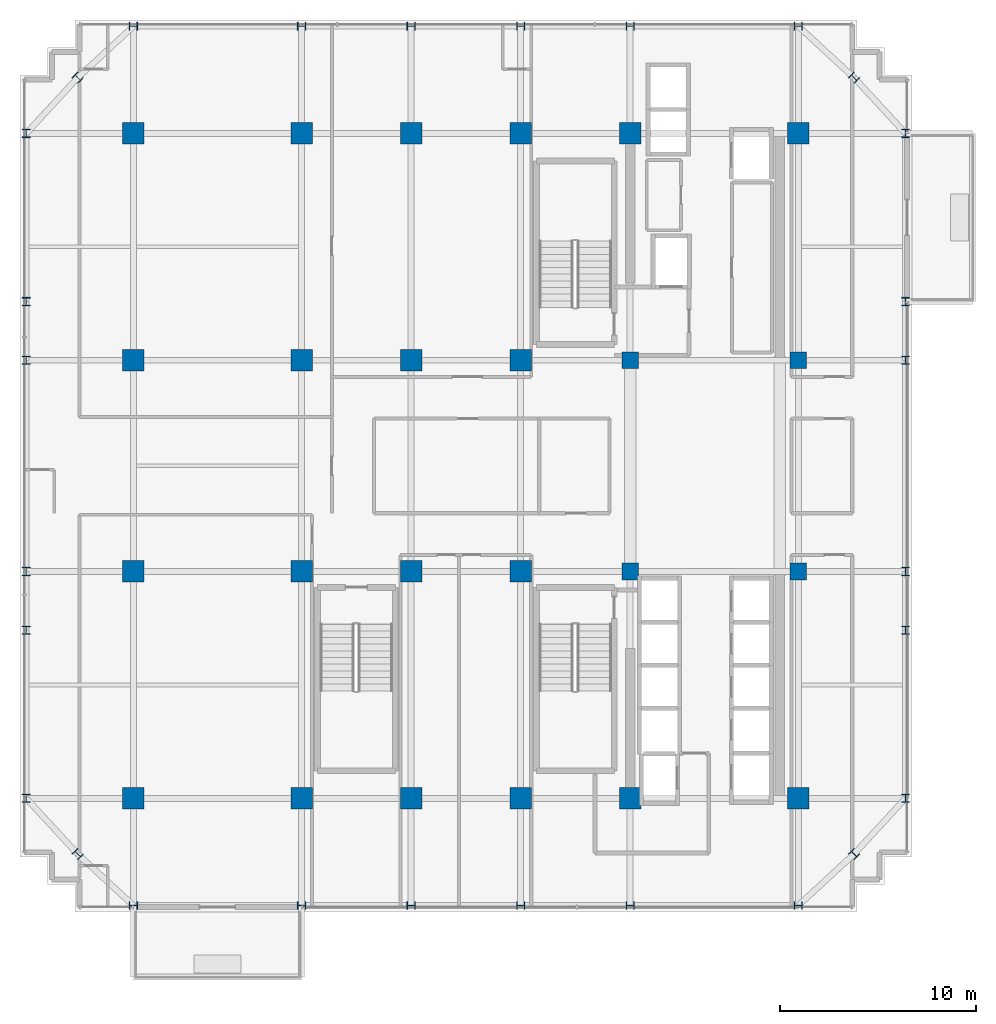
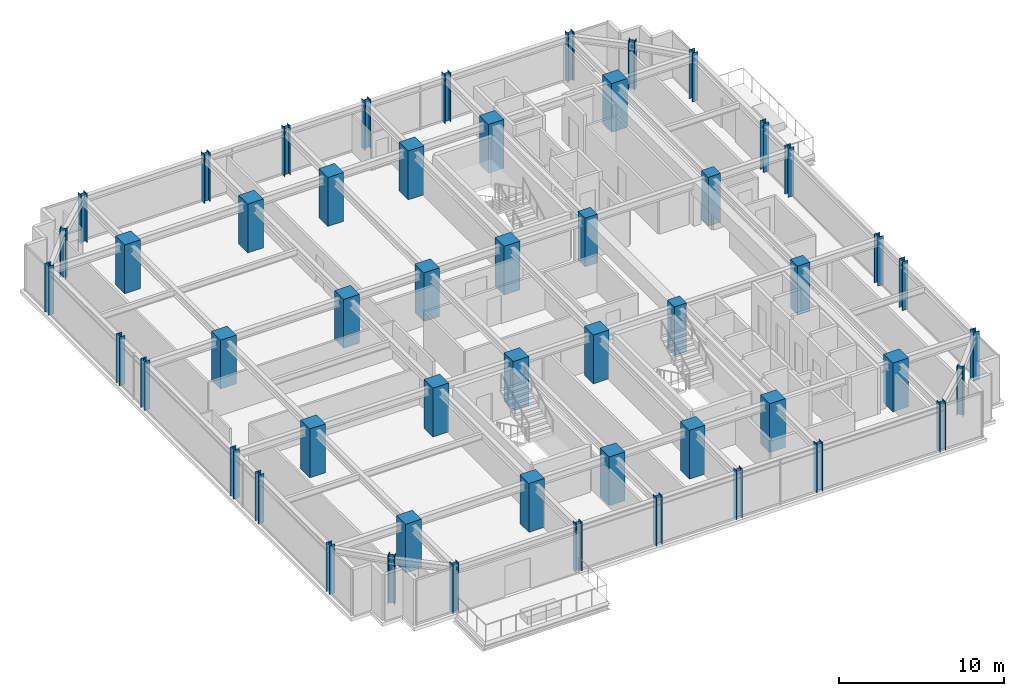
# One storey, part 1 of 31: 52 columns.
"""IFC4 building model written with IfcOpenShell, lengths in metres."""

import ifcopenshell
import ifcopenshell.guid

model = None  # the IFC model being written
_history = None  # IfcOwnerHistory: only IFC2X3 demands one
_inside = {}  # id of a spatial element -> (the spatial element, [elements in it])
_under = {}  # id of a project, library or spatial element -> (it, [spatial elements below it])
_declared = {}  # id of a project -> (the project, [libraries it declares])
_typed = {}  # id of a type object -> (the type object, [elements of that type])
_made_of = {}  # id of a material, layer set ... -> (it, [elements and type objects made of it])


def new_model(schema):
    """Start an empty IFC model of exactly this schema.

    Asked for "IFC4X3", IfcOpenShell would pick the latest addendum, in which some entities
    have other attributes; the version numbers below select the first issue.
    IFC2X3 requires an IfcOwnerHistory on every rooted entity: one is made here for all.
    """
    global model, _history
    if schema == "IFC4X3":
        model = ifcopenshell.file(schema_version=(4, 3, 0, 0))
    else:
        model = ifcopenshell.file(schema=schema)
    _inside.clear()
    _under.clear()
    _declared.clear()
    _typed.clear()
    _made_of.clear()
    _history = None
    if model.schema == "IFC2X3":
        org = make("IfcOrganization", Name="unknown")
        user = make(
            "IfcPersonAndOrganization",
            ThePerson=make("IfcPerson", FamilyName="unknown"),
            TheOrganization=org,
        )
        app = make(
            "IfcApplication",
            ApplicationDeveloper=org,
            Version="unknown",
            ApplicationFullName="unknown",
            ApplicationIdentifier="unknown",
        )
        _history = make(
            "IfcOwnerHistory",
            OwningUser=user,
            OwningApplication=app,
            ChangeAction="ADDED",
            CreationDate=0,
        )
    return model


def make(cls, **values):
    """One entity of the class cls with the attributes given. An attribute that is None is left unset."""
    return model.create_entity(
        cls, **{name: value for name, value in values.items() if value is not None}
    )


def rooted(cls, **values):
    """An entity with a GlobalId (a new one), such as an element, a storey or a relation."""
    return make(cls, GlobalId=ifcopenshell.guid.new(), OwnerHistory=_history, **values)


def si_unit(unit_type, name, prefix=None):
    """IfcSIUnit, for example si_unit("LENGTHUNIT", "METRE", prefix="MILLI")."""
    return make("IfcSIUnit", UnitType=unit_type, Prefix=prefix, Name=name)


def assignment(units):
    """IfcUnitAssignment: the units of a project."""
    return None if units is None else make("IfcUnitAssignment", Units=units)


def point(xyz):
    """IfcCartesianPoint."""
    return None if xyz is None else make("IfcCartesianPoint", Coordinates=xyz)


def direction(xyz):
    """IfcDirection."""
    return None if xyz is None else make("IfcDirection", DirectionRatios=xyz)


def frame(location, z_axis=None, x_axis=None):
    """IfcAxis2Placement3D, a coordinate frame: its origin and axes. An axis left out is left unset."""
    return make(
        "IfcAxis2Placement3D",
        Location=point(location),
        Axis=direction(z_axis),
        RefDirection=direction(x_axis),
    )


def frame_2d(location, x_axis=None):
    """IfcAxis2Placement2D, a coordinate frame in the plane: its origin and x axis."""
    return make(
        "IfcAxis2Placement2D", Location=point(location), RefDirection=direction(x_axis)
    )


def origin():
    """The frame at (0, 0, 0) with its axes left unset."""
    return frame((0.0, 0.0, 0.0))


def origin_2d():
    """The frame at (0, 0) in the plane with its x axis left unset."""
    return frame_2d((0.0, 0.0))


def place(relative_to, where):
    """IfcLocalPlacement: puts the frame where relative to a parent placement (None: the world)."""
    return make(
        "IfcLocalPlacement", PlacementRelTo=relative_to, RelativePlacement=where
    )


def context(
    kind, dimensions, precision=None, world=None, true_north=None, identifier=None
):
    """IfcGeometricRepresentationContext, for example the 3D "Model" context."""
    return make(
        "IfcGeometricRepresentationContext",
        ContextIdentifier=identifier,
        ContextType=kind,
        CoordinateSpaceDimension=dimensions,
        Precision=precision,
        WorldCoordinateSystem=world,
        TrueNorth=true_north,
    )


def subcontext(parent, identifier, kind, view, scale=None):
    """IfcGeometricRepresentationSubContext, for example "Body" below "Model"."""
    return make(
        "IfcGeometricRepresentationSubContext",
        ContextIdentifier=identifier,
        ContextType=kind,
        ParentContext=parent,
        TargetScale=scale,
        TargetView=view,
    )


def project(units=None, contexts=None):
    """IfcProject with its units and contexts."""
    return rooted(
        "IfcProject",
        Name="project",
        RepresentationContexts=contexts,
        UnitsInContext=assignment(units),
    )


def spatial(cls, under=None, at=None, **own):
    """A site, building, storey or space (cls), placed at a placement, below another one or the project."""
    s = rooted(cls, ObjectPlacement=at, **own)
    if under is not None:
        _under.setdefault(under.id(), (under, []))[1].append(s)
    return s


def profile(cls, at=None, kind="AREA", **sizes):
    """A parametric profile (cls). Its sizes go by their IFC names, for example OverallWidth=200.0."""
    return make(cls, ProfileType=kind, Position=at, **sizes)


def rectangle(**sizes):
    """IfcRectangleProfileDef."""
    return profile("IfcRectangleProfileDef", **sizes)


def i_section(**sizes):
    """IfcIShapeProfileDef."""
    return profile("IfcIShapeProfileDef", **sizes)


def extrude(swept, where, along, depth):
    """IfcExtrudedAreaSolid: the profile swept, set in the frame where, extruded along a direction by depth."""
    return make(
        "IfcExtrudedAreaSolid",
        SweptArea=swept,
        Position=where,
        ExtrudedDirection=direction(along),
        Depth=depth,
    )


def shape(context_of_items, identifier, shape_type, items):
    """IfcShapeRepresentation: the items that make up one representation, for example the "Body"."""
    return make(
        "IfcShapeRepresentation",
        ContextOfItems=context_of_items,
        RepresentationIdentifier=identifier,
        RepresentationType=shape_type,
        Items=items,
    )


def source(mapping_origin, context_of_items, identifier, shape_type, items):
    """IfcRepresentationMap: a shape defined once, which mapped items show again and again."""
    return make(
        "IfcRepresentationMap",
        MappingOrigin=mapping_origin,
        MappedRepresentation=shape(context_of_items, identifier, shape_type, items),
    )


def transform(
    local_origin,
    x_axis=None,
    y_axis=None,
    z_axis=None,
    scale=None,
    scale2=None,
    scale3=None,
    uniform=True,
):
    """IfcCartesianTransformationOperator3D, or its non-uniform kind. x_axis, y_axis, z_axis: its Axis1, 2, 3."""
    if uniform:
        return make(
            "IfcCartesianTransformationOperator3D",
            Axis1=direction(x_axis),
            Axis2=direction(y_axis),
            LocalOrigin=point(local_origin),
            Scale=scale,
            Axis3=direction(z_axis),
        )
    return make(
        "IfcCartesianTransformationOperator3DnonUniform",
        Axis1=direction(x_axis),
        Axis2=direction(y_axis),
        LocalOrigin=point(local_origin),
        Scale=scale,
        Axis3=direction(z_axis),
        Scale2=scale2,
        Scale3=scale3,
    )


def mapped(mapping_source, mapping_target):
    """IfcMappedItem: shows the shape of a source again, moved by a transform."""
    return make(
        "IfcMappedItem", MappingSource=mapping_source, MappingTarget=mapping_target
    )


def material(Name=None, Category=None):
    """IfcMaterial."""
    return make("IfcMaterial", Name=Name, Category=Category)


def material_profile(
    of_material, cross_section, Name=None, Category=None, Priority=None
):
    """IfcMaterialProfile: a cross section and its material."""
    return make(
        "IfcMaterialProfile",
        Name=Name,
        Material=of_material,
        Profile=cross_section,
        Priority=Priority,
        Category=Category,
    )


def profile_set(profiles, Name=None, composite=None):
    """IfcMaterialProfileSet."""
    return make(
        "IfcMaterialProfileSet",
        Name=Name,
        MaterialProfiles=profiles,
        CompositeProfile=composite,
    )


def made_of(thing, what):
    """Note that an element or type object is made of a material, layer set ...; save() writes the relation."""
    if what is not None:
        _made_of.setdefault(what.id(), (what, []))[1].append(thing)
    return thing


def type_object(cls, material=None, **own):
    """A type object (cls), such as IfcWallType, which elements share."""
    return made_of(rooted(cls, **own), material)


def element(
    cls,
    number,
    at=None,
    inside=None,
    cuts=None,
    type_object=None,
    material=None,
    context=None,
    identifier="Body",
    shape_type=None,
    held_by="IfcProductDefinitionShape",
    body=None,
    shapes=None,
    **own,
):
    """One element of the class cls, such as IfcWall. Its Tag is "e" and its number.

    at: its placement. inside: the storey or other place that contains it. cuts: it is an
    opening in that element (IfcRelVoidsElement). A single representation is given by context,
    identifier, shape_type and body (its items); several are given by shapes. held_by: the class
    of the entity that holds the representations. save() writes the other relations.
    """
    e = rooted(cls, Tag="e%d" % number, ObjectPlacement=at, **own)
    if body is not None:
        shapes = [shape(context, identifier, shape_type, body)]
    if shapes is not None:
        e.Representation = make(held_by, Representations=shapes)
    if inside is not None:
        _inside.setdefault(inside.id(), (inside, []))[1].append(e)
    if cuts is not None:
        rooted(
            "IfcRelVoidsElement", RelatingBuildingElement=cuts, RelatedOpeningElement=e
        )
    if type_object is not None:
        _typed.setdefault(type_object.id(), (type_object, []))[1].append(e)
    return made_of(e, material)


def aggregate(whole, parts):
    """IfcRelAggregates: a whole, such as a stair, and the parts it consists of."""
    return rooted("IfcRelAggregates", RelatingObject=whole, RelatedObjects=parts)


def save(model, path):
    """Write the relations noted so far, then the file.

    IfcRelAggregates (storeys below a building ...), IfcRelContainedInSpatialStructure (elements
    in a storey), IfcRelDefinesByType, IfcRelAssociatesMaterial and IfcRelDeclares: one each for
    every whole, place, type object, material and project.
    """
    for whole, parts in _under.values():
        aggregate(whole, parts)
    for where, things in _inside.values():
        rooted(
            "IfcRelContainedInSpatialStructure",
            RelatedElements=things,
            RelatingStructure=where,
        )
    for kind, things in _typed.values():
        rooted("IfcRelDefinesByType", RelatedObjects=things, RelatingType=kind)
    for what, things in _made_of.values():
        rooted("IfcRelAssociatesMaterial", RelatedObjects=things, RelatingMaterial=what)
    for by, libraries in _declared.values():
        rooted("IfcRelDeclares", RelatingContext=by, RelatedDefinitions=libraries)
    model.write(path)


model = new_model("IFC4")

# Units and contexts
model_context = context("Model", 3, precision=1e-05, world=origin(), true_north=direction((0.0, 1.0)))
body_context = subcontext(model_context, "Body", "Model", "MODEL_VIEW")
ifc_project = project(units=[si_unit("LENGTHUNIT", "METRE"), si_unit("AREAUNIT", "SQUARE_METRE"), si_unit("VOLUMEUNIT", "CUBIC_METRE"), si_unit("PLANEANGLEUNIT", "RADIAN"), si_unit("MASSUNIT", "GRAM", prefix="KILO")], contexts=[model_context])

# Site, building, storey
site_placement = place(None, origin())
site = spatial("IfcSite", under=ifc_project, at=site_placement, CompositionType="ELEMENT")
building_placement = place(site_placement, origin())
building = spatial("IfcBuilding", under=site, at=building_placement, Name="Nahalor Promenade Grand Hotel", CompositionType="ELEMENT")
storey_placement = place(building_placement, frame((0.0, 0.0, 192.800048828125)))
storey = spatial("IfcBuildingStorey", under=building, at=storey_placement, Name="L49", CompositionType="ELEMENT", Elevation=192.800048828125)

# Columns
ifc_material_1 = material(Name="Concrete B-70 (C60/75)", Category="concrete")
ifc_material_profile_1 = material_profile(ifc_material_1, rectangle(XDim=0.85, YDim=0.85, at=origin_2d()), Name="RC 850x850")
ifc_profile_set_1 = profile_set([ifc_material_profile_1], Name="Concrete B-70 (C60/75)")
column_type_1 = type_object("IfcColumnType", Name="Col-Pilaster-850", PredefinedType="PILASTER", material=ifc_profile_set_1)
shared_shape_1 = source(origin(), body_context, "Body", "SweptSolid", [
    extrude(rectangle(XDim=0.85, YDim=0.85, at=origin_2d()), origin(), (0.0, 0.0, 1.0), 3.60498046875),
])
for number, where, z_axis, x_axis, name in (
    (1, (8.39990234375, -5.39990234375, 0.0), (0.0, 0.0, 1.0), (1.0, 0.0, 0.0), "COL-L49-I41"),
    (2, (8.39990234375, 5.39990234375, 0.0), (0.0, 0.0, 1.0), (1.0, 0.0, 0.0), "COL-L49-I42"),
    (3, (17.0, -5.39990234375, 0.0), (0.0, 0.0, 1.0), (1.0, 0.0, 0.0), "COL-L49-I51"),
    (4, (17.0, 5.39990234375, 0.0), (0.0, 0.0, 1.0), (1.0, 0.0, 0.0), "COL-L49-I52"),
):
    element("IfcColumn", number, at=place(storey_placement, frame(where, z_axis=z_axis, x_axis=x_axis)), inside=storey, type_object=column_type_1, Name=name, PredefinedType="PILASTER", context=body_context, shape_type="MappedRepresentation", body=[
        mapped(shared_shape_1, transform((0.0, 0.0, 0.0), scale=1.0)),
    ])
ifc_material_2 = material(Name="Concrete B-60 (C50/60)", Category="concrete")
ifc_material_profile_2 = material_profile(ifc_material_2, rectangle(XDim=1.1, YDim=1.1, at=origin_2d()), Name="RC 1100x1100")
ifc_profile_set_2 = profile_set([ifc_material_profile_2], Name="Concrete B-60 (C50/60)")
column_type_2 = type_object("IfcColumnType", Name="Col-RC-1100", PredefinedType="COLUMN", material=ifc_profile_set_2)
shared_shape_2 = source(origin(), body_context, "Body", "SweptSolid", [
    extrude(rectangle(XDim=1.1, YDim=1.1, at=origin_2d()), origin(), (0.0, 0.0, 1.0), 3.60498046875),
])
for number, where, z_axis, x_axis, name in (
    (5, (-17.0, -17.0, 0.0), (0.0, 0.0, 1.0), (1.0, 0.0, 0.0), "COL-L49-I00"),
    (6, (-17.0, -5.39990234375, 0.0), (0.0, 0.0, 1.0), (1.0, 0.0, 0.0), "COL-L49-I01"),
    (7, (-17.0, 5.39990234375, 0.0), (0.0, 0.0, 1.0), (1.0, 0.0, 0.0), "COL-L49-I02"),
    (8, (-17.0, 17.0, 0.0), (0.0, 0.0, 1.0), (1.0, 0.0, 0.0), "COL-L49-I03"),
    (9, (-8.39990234375, -17.0, 0.0), (0.0, 0.0, 1.0), (1.0, 0.0, 0.0), "COL-L49-I10"),
    (10, (-8.39990234375, -5.39990234375, 0.0), (0.0, 0.0, 1.0), (1.0, 0.0, 0.0), "COL-L49-I11"),
    (11, (-8.39990234375, 5.39990234375, 0.0), (0.0, 0.0, 1.0), (1.0, 0.0, 0.0), "COL-L49-I12"),
    (12, (-8.39990234375, 17.0, 0.0), (0.0, 0.0, 1.0), (1.0, 0.0, 0.0), "COL-L49-I13"),
    (13, (-2.800048828125, -17.0, 0.0), (0.0, 0.0, 1.0), (1.0, 0.0, 0.0), "COL-L49-I20"),
    (14, (-2.800048828125, -5.39990234375, 0.0), (0.0, 0.0, 1.0), (1.0, 0.0, 0.0), "COL-L49-I21"),
    (15, (-2.800048828125, 5.39990234375, 0.0), (0.0, 0.0, 1.0), (1.0, 0.0, 0.0), "COL-L49-I22"),
    (16, (-2.800048828125, 17.0, 0.0), (0.0, 0.0, 1.0), (1.0, 0.0, 0.0), "COL-L49-I23"),
    (17, (2.800048828125, -17.0, 0.0), (0.0, 0.0, 1.0), (1.0, 0.0, 0.0), "COL-L49-I30"),
    (18, (2.800048828125, -5.39990234375, 0.0), (0.0, 0.0, 1.0), (1.0, 0.0, 0.0), "COL-L49-I31"),
    (19, (2.800048828125, 5.39990234375, 0.0), (0.0, 0.0, 1.0), (1.0, 0.0, 0.0), "COL-L49-I32"),
    (20, (2.800048828125, 17.0, 0.0), (0.0, 0.0, 1.0), (1.0, 0.0, 0.0), "COL-L49-I33"),
    (21, (8.39990234375, -17.0, 0.0), (0.0, 0.0, 1.0), (1.0, 0.0, 0.0), "COL-L49-I40"),
    (22, (8.39990234375, 17.0, 0.0), (0.0, 0.0, 1.0), (1.0, 0.0, 0.0), "COL-L49-I43"),
    (23, (17.0, -17.0, 0.0), (0.0, 0.0, 1.0), (1.0, 0.0, 0.0), "COL-L49-I50"),
    (24, (17.0, 17.0, 0.0), (0.0, 0.0, 1.0), (1.0, 0.0, 0.0), "COL-L49-I53"),
):
    element("IfcColumn", number, at=place(storey_placement, frame(where, z_axis=z_axis, x_axis=x_axis)), inside=storey, type_object=column_type_2, Name=name, PredefinedType="COLUMN", context=body_context, shape_type="MappedRepresentation", body=[
        mapped(shared_shape_2, transform((0.0, 0.0, 0.0), scale=1.0)),
    ])
ifc_material_3 = material(Name="Steel S355J2", Category="steel")
ifc_material_profile_3 = material_profile(ifc_material_3, i_section(OverallWidth=0.406, OverallDepth=0.422, WebThickness=0.019, FlangeThickness=0.0305, at=origin_2d()), Name="HD 400x382")
ifc_profile_set_3 = profile_set([ifc_material_profile_3], Name="Steel S355J2")
column_type_3 = type_object("IfcColumnType", Name="Col-Steel-HD382", PredefinedType="COLUMN", material=ifc_profile_set_3)
shared_shape_3 = source(origin(), body_context, "Body", "SweptSolid", [
    extrude(i_section(OverallWidth=0.406, OverallDepth=0.422, WebThickness=0.019, FlangeThickness=0.0305, at=origin_2d()), origin(), (0.0, 0.0, 1.0), 3.60498046875),
])
for number, where, z_axis, x_axis, name in (
    (25, (-22.47998046875, -17.0, 0.0), (0.0, 0.0, 1.0), (1.0, 0.0, 0.0), "COL-L49-PW-W0"),
    (26, (22.47998046875, -17.0, 0.0), (0.0, 0.0, 1.0), (1.0, 0.0, 0.0), "COL-L49-PW-E0"),
    (27, (-22.47998046875, -8.39990234375, 0.0), (0.0, 0.0, 1.0), (1.0, 0.0, 0.0), "COL-L49-PW-W1"),
    (28, (22.47998046875, -8.39990234375, 0.0), (0.0, 0.0, 1.0), (1.0, 0.0, 0.0), "COL-L49-PW-E1"),
    (29, (-22.47998046875, -5.39990234375, 0.0), (0.0, 0.0, 1.0), (1.0, 0.0, 0.0), "COL-L49-PW-W2"),
    (30, (22.47998046875, -5.39990234375, 0.0), (0.0, 0.0, 1.0), (1.0, 0.0, 0.0), "COL-L49-PW-E2"),
    (31, (-22.47998046875, 5.39990234375, 0.0), (0.0, 0.0, 1.0), (1.0, 0.0, 0.0), "COL-L49-PW-W3"),
    (32, (22.47998046875, 5.39990234375, 0.0), (0.0, 0.0, 1.0), (1.0, 0.0, 0.0), "COL-L49-PW-E3"),
    (33, (-22.47998046875, 8.39990234375, 0.0), (0.0, 0.0, 1.0), (1.0, 0.0, 0.0), "COL-L49-PW-W4"),
    (34, (22.47998046875, 8.39990234375, 0.0), (0.0, 0.0, 1.0), (1.0, 0.0, 0.0), "COL-L49-PW-E4"),
    (35, (-22.47998046875, 17.0, 0.0), (0.0, 0.0, 1.0), (1.0, 0.0, 0.0), "COL-L49-PW-W5"),
    (36, (22.47998046875, 17.0, 0.0), (0.0, 0.0, 1.0), (1.0, 0.0, 0.0), "COL-L49-PW-E5"),
    (37, (-17.0, -22.47998046875, 0.0), (0.0, 0.0, 1.0), (0.0, 1.0, 0.0), "COL-L49-PN-S0"),
    (38, (-17.0, 22.47998046875, 0.0), (0.0, 0.0, 1.0), (0.0, 1.0, 0.0), "COL-L49-PN-N0"),
    (39, (-8.39990234375, -22.47998046875, 0.0), (0.0, 0.0, 1.0), (0.0, 1.0, 0.0), "COL-L49-PN-S1"),
    (40, (-8.39990234375, 22.47998046875, 0.0), (0.0, 0.0, 1.0), (0.0, 1.0, 0.0), "COL-L49-PN-N1"),
    (41, (-2.800048828125, -22.47998046875, 0.0), (0.0, 0.0, 1.0), (0.0, 1.0, 0.0), "COL-L49-PN-S2"),
    (42, (-2.800048828125, 22.47998046875, 0.0), (0.0, 0.0, 1.0), (0.0, 1.0, 0.0), "COL-L49-PN-N2"),
    (43, (2.800048828125, -22.47998046875, 0.0), (0.0, 0.0, 1.0), (0.0, 1.0, 0.0), "COL-L49-PN-S3"),
    (44, (2.800048828125, 22.47998046875, 0.0), (0.0, 0.0, 1.0), (0.0, 1.0, 0.0), "COL-L49-PN-N3"),
    (45, (8.39990234375, -22.47998046875, 0.0), (0.0, 0.0, 1.0), (0.0, 1.0, 0.0), "COL-L49-PN-S4"),
    (46, (8.39990234375, 22.47998046875, 0.0), (0.0, 0.0, 1.0), (0.0, 1.0, 0.0), "COL-L49-PN-N4"),
    (47, (17.0, -22.47998046875, 0.0), (0.0, 0.0, 1.0), (0.0, 1.0, 0.0), "COL-L49-PN-S5"),
    (48, (17.0, 22.47998046875, 0.0), (0.0, 0.0, 1.0), (0.0, 1.0, 0.0), "COL-L49-PN-N5"),
    (49, (-19.85009765625, -19.85009765625, 0.0), (0.0, 0.0, 1.0), (0.707106781187, 0.707106781187, 0.0), "COL-L49-CRN-SW"),
    (50, (-19.85009765625, 19.85009765625, 0.0), (0.0, 0.0, 1.0), (0.707106781187, 0.707106781187, 0.0), "COL-L49-CRN-NW"),
    (51, (19.85009765625, -19.85009765625, 0.0), (0.0, 0.0, 1.0), (0.707106781187, 0.707106781187, 0.0), "COL-L49-CRN-SE"),
    (52, (19.85009765625, 19.85009765625, 0.0), (0.0, 0.0, 1.0), (0.707106781187, 0.707106781187, 0.0), "COL-L49-CRN-NE"),
):
    element("IfcColumn", number, at=place(storey_placement, frame(where, z_axis=z_axis, x_axis=x_axis)), inside=storey, type_object=column_type_3, Name=name, PredefinedType="COLUMN", context=body_context, shape_type="MappedRepresentation", body=[
        mapped(shared_shape_3, transform((0.0, 0.0, 0.0), scale=1.0)),
    ])

save(model, "model.ifc")
